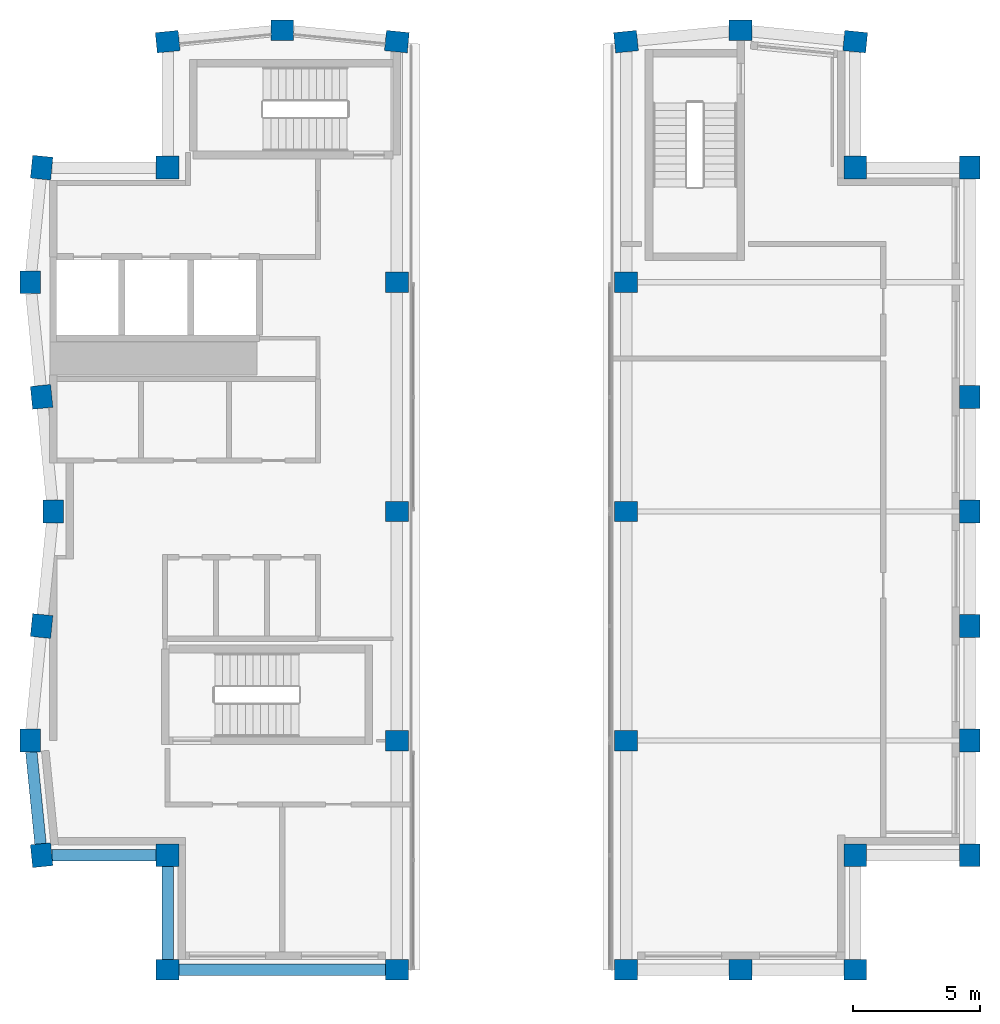
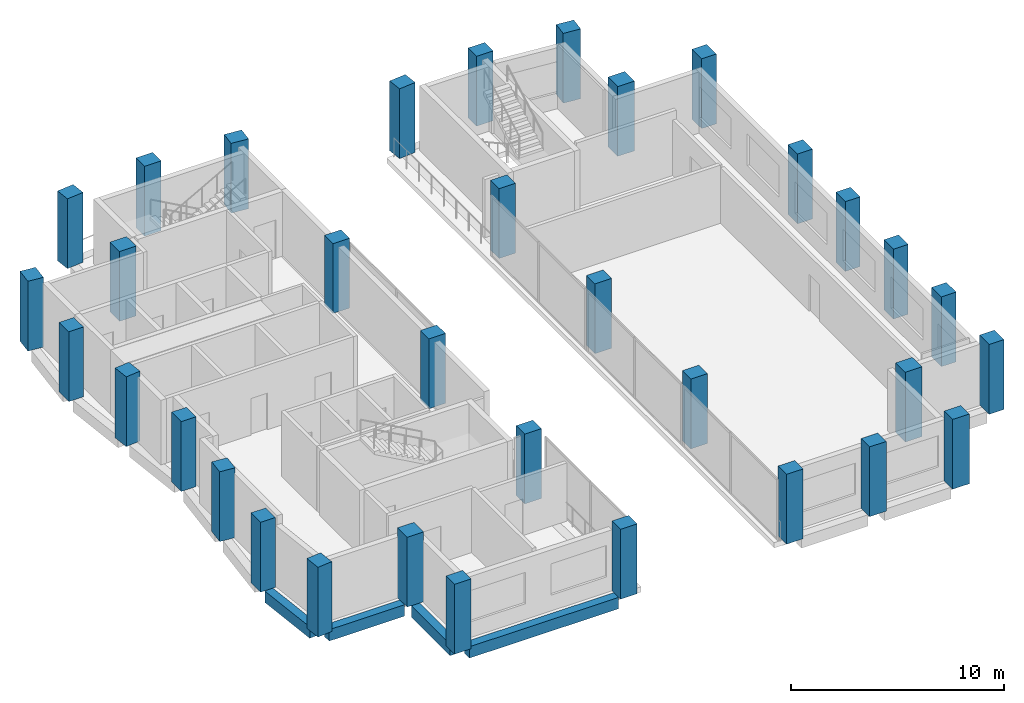
# One storey, part 1 of 9: 34 columns, 4 beams.
"""IFC4 building model written with IfcOpenShell, lengths in metres."""

from ifc_helpers import new_model, si_unit, direction, frame, origin, origin_2d, place, context, subcontext, project, spatial, rectangle, extrude, material, material_profile, profile_set, type_object, element, save


model = new_model("IFC4")

# Units and contexts
model_context = context("Model", 3, precision=1e-05, world=origin(), true_north=direction((0.0, 1.0)))
body_context = subcontext(model_context, "Body", "Model", "MODEL_VIEW")
ifc_project = project(units=[si_unit("LENGTHUNIT", "METRE"), si_unit("AREAUNIT", "SQUARE_METRE"), si_unit("VOLUMEUNIT", "CUBIC_METRE"), si_unit("PLANEANGLEUNIT", "RADIAN"), si_unit("MASSUNIT", "GRAM", prefix="KILO")], contexts=[model_context])

# Site, building, storey
site_placement = place(None, origin())
site = spatial("IfcSite", under=ifc_project, at=site_placement, CompositionType="ELEMENT")
building_placement = place(site_placement, origin())
building = spatial("IfcBuilding", under=site, at=building_placement, Name="Brondeck Convention Tower", CompositionType="ELEMENT")
storey_placement = place(building_placement, frame((0.0, 0.0, 290.800048828125)))
storey = spatial("IfcBuildingStorey", under=building, at=storey_placement, Name="L72", CompositionType="ELEMENT", Elevation=290.800048828125)

# Columns
ifc_material = material(Name="Concrete C50/60", Category="concrete")
ifc_material_profile_1 = material_profile(ifc_material, rectangle(XDim=0.89990234375, YDim=0.89990234375, at=origin_2d()), Name="Corner column 900x900 Concrete C50/60")
ifc_profile_set_1 = profile_set([ifc_material_profile_1], Name="Concrete C50/60")
column_type_1 = type_object("IfcColumnType", Name="Corner column 900x900 Concrete C50/60", PredefinedType="COLUMN", material=ifc_profile_set_1)
for number, where, z_axis, x_axis, name in (
    (1, (4.5, 31.5, 0.0), (0.0, 0.0, 1.0), (1.0, 0.0, 0.0), "STR-COL-L72-NC-KSW"),
    (2, (4.5, 58.5, 0.0), (0.0, 0.0, 1.0), (1.0, 0.0, 0.0), "STR-COL-L72-NC-NW"),
    (3, (31.5, 31.5, 0.0), (0.0, 0.0, 1.0), (1.0, 0.0, 0.0), "STR-COL-L72-NC-KSE"),
    (4, (31.5, 58.5, 0.0), (0.0, 0.0, 1.0), (1.0, 0.0, 0.0), "STR-COL-L72-NC-KNE"),
):
    element("IfcColumn", number, at=place(storey_placement, frame(where, z_axis=z_axis, x_axis=x_axis)), inside=storey, type_object=column_type_1, Name=name, PredefinedType="COLUMN", context=body_context, shape_type="SweptSolid", body=[
        extrude(rectangle(XDim=0.89990234375, YDim=0.89990234375, at=origin_2d()), origin(), (0.0, 0.0, 1.0), 4.0),
    ])
ifc_material_profile_2 = material_profile(ifc_material, rectangle(XDim=0.89990234375, YDim=0.800048828125, at=origin_2d()), Name="Crown pier 900x800 Concrete C50/60")
ifc_profile_set_2 = profile_set([ifc_material_profile_2], Name="Concrete C50/60")
column_type_2 = type_object("IfcColumnType", Name="Crown pier 900x800 Concrete C50/60", PredefinedType="COLUMN", material=ifc_profile_set_2)
for number, where, z_axis, x_axis, name in (
    (5, (4.5, 27.0, 0.0), (0.0, 0.0, 1.0), (1.0, 0.0, 0.0), "STR-COL-L72-PC-K-S-01"),
    (6, (13.5, 27.0, 0.0), (0.0, 0.0, 1.0), (1.0, 0.0, 0.0), "STR-COL-L72-PC-K-S-03"),
    (7, (13.5, 36.0, 0.0), (0.0, 0.0, 1.0), (1.0, 0.0, 0.0), "STR-COL-L72-PC-SLOT-W-01"),
    (8, (13.5, 45.0, 0.0), (0.0, 0.0, 1.0), (1.0, 0.0, 0.0), "STR-COL-L72-PC-SLOT-W-02"),
    (9, (13.5, 54.0, 0.0), (0.0, 0.0, 1.0), (1.0, 0.0, 0.0), "STR-COL-L72-PC-SLOT-W-03"),
    (10, (13.5, 63.449951171875, 0.0), (0.0, 0.0, 1.0), (-0.995037178292, 0.0995038382, 0.0), "STR-COL-L72-PC-A-N-03"),
    (11, (9.0, 63.89990234375, 0.0), (0.0, 0.0, 1.0), (-1.0, 0.0, 0.0), "STR-COL-L72-PC-A-N-02"),
    (12, (4.5, 63.449951171875, 0.0), (0.0, 0.0, 1.0), (-0.995037178292, -0.0995038382, 0.0), "STR-COL-L72-PC-A-N-01"),
    (13, (-0.449951171875, 58.5, 0.0), (0.0, 0.0, 1.0), (-0.0995038382, -0.995037178292, 0.0), "STR-COL-L72-PC-B-W-01"),
    (14, (-0.89990234375, 54.0, 0.0), (0.0, 0.0, 1.0), (0.0, -1.0, 0.0), "STR-COL-L72-PC-B-W-02"),
    (15, (-0.449951171875, 49.5, 0.0), (0.0, 0.0, 1.0), (0.0995038382, -0.995037178292, 0.0), "STR-COL-L72-PC-B-W-03"),
    (16, (0.0, 45.0, 0.0), (0.0, 0.0, 1.0), (0.0, -1.0, 0.0), "STR-COL-L72-PC-B-W-04"),
    (17, (-0.449951171875, 40.5, 0.0), (0.0, 0.0, 1.0), (-0.0995038382, -0.995037178292, 0.0), "STR-COL-L72-PC-B-W-05"),
    (18, (-0.89990234375, 36.0, 0.0), (0.0, 0.0, 1.0), (0.0, -1.0, 0.0), "STR-COL-L72-PC-B-W-06"),
    (19, (-0.449951171875, 31.5, 0.0), (0.0, 0.0, 1.0), (0.0995038382, -0.995037178292, 0.0), "STR-COL-L72-PC-B-W-07"),
    (20, (36.0, 31.5, 0.0), (0.0, 0.0, 1.0), (0.0, 1.0, 0.0), "STR-COL-L72-PC-K-E-01"),
    (21, (36.0, 36.0, 0.0), (0.0, 0.0, 1.0), (0.0, 1.0, 0.0), "STR-COL-L72-PC-K-E-02"),
    (22, (36.0, 40.5, 0.0), (0.0, 0.0, 1.0), (0.0, 1.0, 0.0), "STR-COL-L72-PC-K-E-03"),
    (23, (36.0, 45.0, 0.0), (0.0, 0.0, 1.0), (0.0, 1.0, 0.0), "STR-COL-L72-PC-K-E-04"),
    (24, (36.0, 49.5, 0.0), (0.0, 0.0, 1.0), (0.0, 1.0, 0.0), "STR-COL-L72-PC-K-E-05"),
    (25, (36.0, 58.5, 0.0), (0.0, 0.0, 1.0), (0.0, 1.0, 0.0), "STR-COL-L72-PC-K-E-07"),
    (26, (31.5, 63.449951171875, 0.0), (0.0, 0.0, 1.0), (-0.995037178292, 0.0995038382, 0.0), "STR-COL-L72-PC-A-N-07"),
    (27, (27.0, 63.89990234375, 0.0), (0.0, 0.0, 1.0), (-1.0, 0.0, 0.0), "STR-COL-L72-PC-A-N-06"),
    (28, (22.5, 63.449951171875, 0.0), (0.0, 0.0, 1.0), (-0.995037178292, -0.0995038382, 0.0), "STR-COL-L72-PC-A-N-05"),
    (29, (22.5, 54.0, 0.0), (0.0, 0.0, 1.0), (1.0, 0.0, 0.0), "STR-COL-L72-PC-SLOT-E-01"),
    (30, (22.5, 45.0, 0.0), (0.0, 0.0, 1.0), (1.0, 0.0, 0.0), "STR-COL-L72-PC-SLOT-E-02"),
    (31, (22.5, 36.0, 0.0), (0.0, 0.0, 1.0), (1.0, 0.0, 0.0), "STR-COL-L72-PC-SLOT-E-03"),
    (32, (22.5, 27.0, 0.0), (0.0, 0.0, 1.0), (1.0, 0.0, 0.0), "STR-COL-L72-PC-K-S-01-22x27"),
    (33, (27.0, 27.0, 0.0), (0.0, 0.0, 1.0), (1.0, 0.0, 0.0), "STR-COL-L72-PC-K-S-02"),
    (34, (31.5, 27.0, 0.0), (0.0, 0.0, 1.0), (1.0, 0.0, 0.0), "STR-COL-L72-PC-K-S-03-32x27"),
):
    element("IfcColumn", number, at=place(storey_placement, frame(where, z_axis=z_axis, x_axis=x_axis)), inside=storey, type_object=column_type_2, Name=name, PredefinedType="COLUMN", context=body_context, shape_type="SweptSolid", body=[
        extrude(rectangle(XDim=0.89990234375, YDim=0.800048828125, at=origin_2d()), origin(), (0.0, 0.0, 1.0), 4.0),
    ])

# Beams
ifc_material_profile_3 = material_profile(ifc_material, rectangle(XDim=0.449951171875, YDim=0.64990234375, at=origin_2d()), Name="Precast spandrel 450x650 Concrete C50/60")
ifc_profile_set_3 = profile_set([ifc_material_profile_3], Name="Concrete C50/60")
beam_type = type_object("IfcBeamType", Name="Precast spandrel 450x650 Concrete C50/60", PredefinedType="SPANDREL", material=ifc_profile_set_3)
beam_1_placement = place(storey_placement, frame((4.949951171875, 27.0, -0.324951171875), z_axis=(1.0, 0.0, 0.0), x_axis=(0.0, 1.0, 0.0)))
element("IfcBeam", 35, at=beam_1_placement, inside=storey, type_object=beam_type, Name="STR-SP-L72K1-001", PredefinedType="SPANDREL", context=body_context, shape_type="SweptSolid", body=[
    extrude(rectangle(XDim=0.449951171875, YDim=0.64990234375, at=origin_2d()), origin(), (0.0, 0.0, 1.0), 8.10009765625),
])
beam_2_placement = place(storey_placement, frame((-0.85498046875, 35.550048828125, -0.324951171875), z_axis=(0.099470334057, -0.995040528141, 0.0), x_axis=(0.995040528141, 0.099470334057, 0.0)))
element("IfcBeam", 36, at=beam_2_placement, inside=storey, type_object=beam_type, Name="STR-SP-L72K1-015", PredefinedType="SPANDREL", context=body_context, shape_type="SweptSolid", body=[
    extrude(rectangle(XDim=0.449951171875, YDim=0.64990234375, at=origin_2d()), origin(), (0.0, 0.0, 1.0), 3.620361328125),
])
beam_3_placement = place(storey_placement, frame((-0.048095703125, 31.5, -0.324951171875), z_axis=(1.0, 0.0, 0.0), x_axis=(0.0, 1.0, 0.0)))
element("IfcBeam", 37, at=beam_3_placement, inside=storey, type_object=beam_type, Name="STR-SP-L72K1-016", PredefinedType="SPANDREL", context=body_context, shape_type="SweptSolid", body=[
    extrude(rectangle(XDim=0.449951171875, YDim=0.64990234375, at=origin_2d()), origin(), (0.0, 0.0, 1.0), 4.09814453125),
])
beam_4_placement = place(storey_placement, frame((4.5, 31.050048828125, -0.324951171875), z_axis=(0.0, -1.0, 0.0), x_axis=(1.0, 0.0, 0.0)))
element("IfcBeam", 38, at=beam_4_placement, inside=storey, type_object=beam_type, Name="STR-SP-L72K1-017", PredefinedType="SPANDREL", context=body_context, shape_type="SweptSolid", body=[
    extrude(rectangle(XDim=0.449951171875, YDim=0.64990234375, at=origin_2d()), origin(), (0.0, 0.0, 1.0), 3.650146484375),
])

save(model, "model.ifc")
